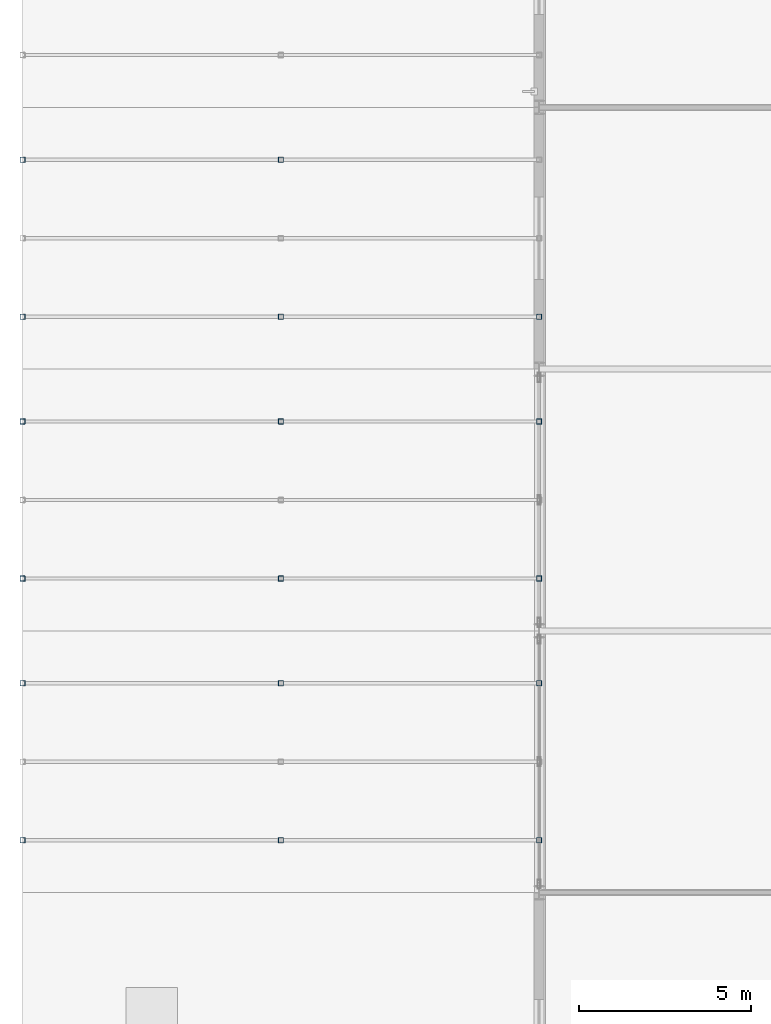
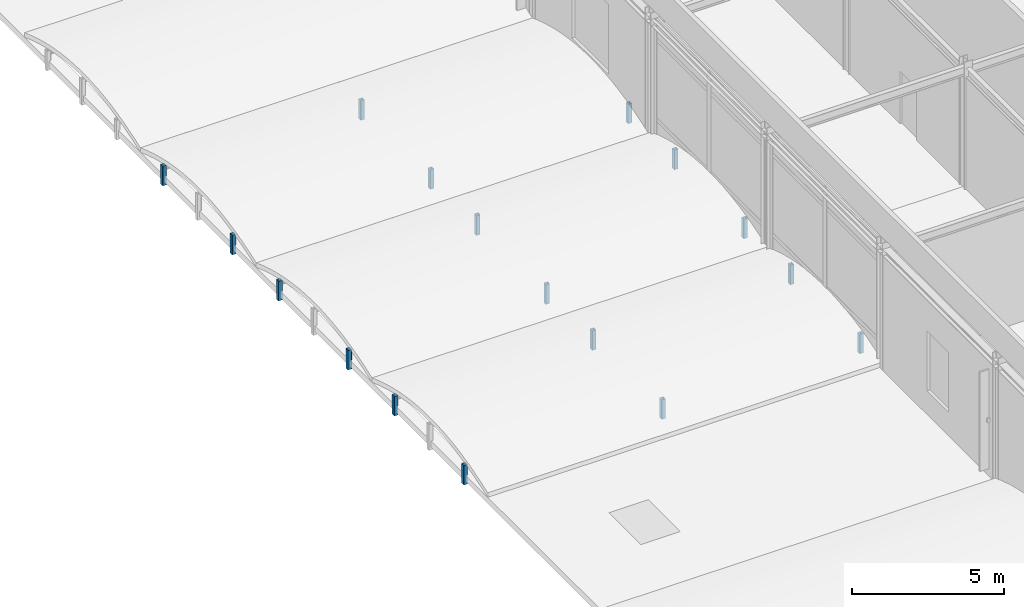
# One storey, part 50 of 79: 17 members.
"""IFC4 building model written with IfcOpenShell, lengths in metres."""

import ifcopenshell
import ifcopenshell.guid

model = None  # the IFC model being written
_history = None  # IfcOwnerHistory: only IFC2X3 demands one
_inside = {}  # id of a spatial element -> (the spatial element, [elements in it])
_under = {}  # id of a project, library or spatial element -> (it, [spatial elements below it])
_declared = {}  # id of a project -> (the project, [libraries it declares])
_typed = {}  # id of a type object -> (the type object, [elements of that type])
_made_of = {}  # id of a material, layer set ... -> (it, [elements and type objects made of it])


def new_model(schema):
    """Start an empty IFC model of exactly this schema.

    Asked for "IFC4X3", IfcOpenShell would pick the latest addendum, in which some entities
    have other attributes; the version numbers below select the first issue.
    IFC2X3 requires an IfcOwnerHistory on every rooted entity: one is made here for all.
    """
    global model, _history
    if schema == "IFC4X3":
        model = ifcopenshell.file(schema_version=(4, 3, 0, 0))
    else:
        model = ifcopenshell.file(schema=schema)
    _inside.clear()
    _under.clear()
    _declared.clear()
    _typed.clear()
    _made_of.clear()
    _history = None
    if model.schema == "IFC2X3":
        org = make("IfcOrganization", Name="unknown")
        user = make(
            "IfcPersonAndOrganization",
            ThePerson=make("IfcPerson", FamilyName="unknown"),
            TheOrganization=org,
        )
        app = make(
            "IfcApplication",
            ApplicationDeveloper=org,
            Version="unknown",
            ApplicationFullName="unknown",
            ApplicationIdentifier="unknown",
        )
        _history = make(
            "IfcOwnerHistory",
            OwningUser=user,
            OwningApplication=app,
            ChangeAction="ADDED",
            CreationDate=0,
        )
    return model


def make(cls, **values):
    """One entity of the class cls with the attributes given. An attribute that is None is left unset."""
    return model.create_entity(
        cls, **{name: value for name, value in values.items() if value is not None}
    )


def rooted(cls, **values):
    """An entity with a GlobalId (a new one), such as an element, a storey or a relation."""
    return make(cls, GlobalId=ifcopenshell.guid.new(), OwnerHistory=_history, **values)


def si_unit(unit_type, name, prefix=None):
    """IfcSIUnit, for example si_unit("LENGTHUNIT", "METRE", prefix="MILLI")."""
    return make("IfcSIUnit", UnitType=unit_type, Prefix=prefix, Name=name)


def assignment(units):
    """IfcUnitAssignment: the units of a project."""
    return None if units is None else make("IfcUnitAssignment", Units=units)


def point(xyz):
    """IfcCartesianPoint."""
    return None if xyz is None else make("IfcCartesianPoint", Coordinates=xyz)


def direction(xyz):
    """IfcDirection."""
    return None if xyz is None else make("IfcDirection", DirectionRatios=xyz)


def frame(location, z_axis=None, x_axis=None):
    """IfcAxis2Placement3D, a coordinate frame: its origin and axes. An axis left out is left unset."""
    return make(
        "IfcAxis2Placement3D",
        Location=point(location),
        Axis=direction(z_axis),
        RefDirection=direction(x_axis),
    )


def frame_2d(location, x_axis=None):
    """IfcAxis2Placement2D, a coordinate frame in the plane: its origin and x axis."""
    return make(
        "IfcAxis2Placement2D", Location=point(location), RefDirection=direction(x_axis)
    )


def origin():
    """The frame at (0, 0, 0) with its axes left unset."""
    return frame((0.0, 0.0, 0.0))


def origin_2d():
    """The frame at (0, 0) in the plane with its x axis left unset."""
    return frame_2d((0.0, 0.0))


def place(relative_to, where):
    """IfcLocalPlacement: puts the frame where relative to a parent placement (None: the world)."""
    return make(
        "IfcLocalPlacement", PlacementRelTo=relative_to, RelativePlacement=where
    )


def context(
    kind, dimensions, precision=None, world=None, true_north=None, identifier=None
):
    """IfcGeometricRepresentationContext, for example the 3D "Model" context."""
    return make(
        "IfcGeometricRepresentationContext",
        ContextIdentifier=identifier,
        ContextType=kind,
        CoordinateSpaceDimension=dimensions,
        Precision=precision,
        WorldCoordinateSystem=world,
        TrueNorth=true_north,
    )


def subcontext(parent, identifier, kind, view, scale=None):
    """IfcGeometricRepresentationSubContext, for example "Body" below "Model"."""
    return make(
        "IfcGeometricRepresentationSubContext",
        ContextIdentifier=identifier,
        ContextType=kind,
        ParentContext=parent,
        TargetScale=scale,
        TargetView=view,
    )


def project(units=None, contexts=None):
    """IfcProject with its units and contexts."""
    return rooted(
        "IfcProject",
        Name="project",
        RepresentationContexts=contexts,
        UnitsInContext=assignment(units),
    )


def spatial(cls, under=None, at=None, **own):
    """A site, building, storey or space (cls), placed at a placement, below another one or the project."""
    s = rooted(cls, ObjectPlacement=at, **own)
    if under is not None:
        _under.setdefault(under.id(), (under, []))[1].append(s)
    return s


def profile(cls, at=None, kind="AREA", **sizes):
    """A parametric profile (cls). Its sizes go by their IFC names, for example OverallWidth=200.0."""
    return make(cls, ProfileType=kind, Position=at, **sizes)


def hollow_rectangle(**sizes):
    """IfcRectangleHollowProfileDef."""
    return profile("IfcRectangleHollowProfileDef", **sizes)


def extrude(swept, where, along, depth):
    """IfcExtrudedAreaSolid: the profile swept, set in the frame where, extruded along a direction by depth."""
    return make(
        "IfcExtrudedAreaSolid",
        SweptArea=swept,
        Position=where,
        ExtrudedDirection=direction(along),
        Depth=depth,
    )


def shape(context_of_items, identifier, shape_type, items):
    """IfcShapeRepresentation: the items that make up one representation, for example the "Body"."""
    return make(
        "IfcShapeRepresentation",
        ContextOfItems=context_of_items,
        RepresentationIdentifier=identifier,
        RepresentationType=shape_type,
        Items=items,
    )


def material(Name=None, Category=None):
    """IfcMaterial."""
    return make("IfcMaterial", Name=Name, Category=Category)


def material_profile(
    of_material, cross_section, Name=None, Category=None, Priority=None
):
    """IfcMaterialProfile: a cross section and its material."""
    return make(
        "IfcMaterialProfile",
        Name=Name,
        Material=of_material,
        Profile=cross_section,
        Priority=Priority,
        Category=Category,
    )


def profile_set(profiles, Name=None, composite=None):
    """IfcMaterialProfileSet."""
    return make(
        "IfcMaterialProfileSet",
        Name=Name,
        MaterialProfiles=profiles,
        CompositeProfile=composite,
    )


def made_of(thing, what):
    """Note that an element or type object is made of a material, layer set ...; save() writes the relation."""
    if what is not None:
        _made_of.setdefault(what.id(), (what, []))[1].append(thing)
    return thing


def type_object(cls, material=None, **own):
    """A type object (cls), such as IfcWallType, which elements share."""
    return made_of(rooted(cls, **own), material)


def element(
    cls,
    number,
    at=None,
    inside=None,
    cuts=None,
    type_object=None,
    material=None,
    context=None,
    identifier="Body",
    shape_type=None,
    held_by="IfcProductDefinitionShape",
    body=None,
    shapes=None,
    **own,
):
    """One element of the class cls, such as IfcWall. Its Tag is "e" and its number.

    at: its placement. inside: the storey or other place that contains it. cuts: it is an
    opening in that element (IfcRelVoidsElement). A single representation is given by context,
    identifier, shape_type and body (its items); several are given by shapes. held_by: the class
    of the entity that holds the representations. save() writes the other relations.
    """
    e = rooted(cls, Tag="e%d" % number, ObjectPlacement=at, **own)
    if body is not None:
        shapes = [shape(context, identifier, shape_type, body)]
    if shapes is not None:
        e.Representation = make(held_by, Representations=shapes)
    if inside is not None:
        _inside.setdefault(inside.id(), (inside, []))[1].append(e)
    if cuts is not None:
        rooted(
            "IfcRelVoidsElement", RelatingBuildingElement=cuts, RelatedOpeningElement=e
        )
    if type_object is not None:
        _typed.setdefault(type_object.id(), (type_object, []))[1].append(e)
    return made_of(e, material)


def aggregate(whole, parts):
    """IfcRelAggregates: a whole, such as a stair, and the parts it consists of."""
    return rooted("IfcRelAggregates", RelatingObject=whole, RelatedObjects=parts)


def save(model, path):
    """Write the relations noted so far, then the file.

    IfcRelAggregates (storeys below a building ...), IfcRelContainedInSpatialStructure (elements
    in a storey), IfcRelDefinesByType, IfcRelAssociatesMaterial and IfcRelDeclares: one each for
    every whole, place, type object, material and project.
    """
    for whole, parts in _under.values():
        aggregate(whole, parts)
    for where, things in _inside.values():
        rooted(
            "IfcRelContainedInSpatialStructure",
            RelatedElements=things,
            RelatingStructure=where,
        )
    for kind, things in _typed.values():
        rooted("IfcRelDefinesByType", RelatedObjects=things, RelatingType=kind)
    for what, things in _made_of.values():
        rooted("IfcRelAssociatesMaterial", RelatedObjects=things, RelatingMaterial=what)
    for by, libraries in _declared.values():
        rooted("IfcRelDeclares", RelatingContext=by, RelatedDefinitions=libraries)
    model.write(path)


model = new_model("IFC4")

# Units and contexts
model_context = context("Model", 3, precision=1e-05, world=origin(), true_north=direction((0.0, 1.0)))
body_context = subcontext(model_context, "Body", "Model", "MODEL_VIEW")
ifc_project = project(units=[si_unit("LENGTHUNIT", "METRE"), si_unit("AREAUNIT", "SQUARE_METRE"), si_unit("VOLUMEUNIT", "CUBIC_METRE"), si_unit("PLANEANGLEUNIT", "RADIAN"), si_unit("MASSUNIT", "GRAM", prefix="KILO")], contexts=[model_context])

# Site, building, storey
site_placement = place(None, origin())
site = spatial("IfcSite", under=ifc_project, at=site_placement, CompositionType="ELEMENT")
building_placement = place(site_placement, origin())
building = spatial("IfcBuilding", under=site, at=building_placement, Name="Shalkamar Park Central Library", CompositionType="ELEMENT")
storey_placement = place(building_placement, frame((0.0, 0.0, 10.5)))
storey = spatial("IfcBuildingStorey", under=building, at=storey_placement, Name="L03", CompositionType="ELEMENT", Elevation=10.5)

# Members
ifc_material = material(Name="Steel S355", Category="steel")
ifc_material_profile = material_profile(ifc_material, hollow_rectangle(XDim=0.14990234375, YDim=0.14990234375, WallThickness=0.008056640625, InnerFilletRadius=0.008056640625, OuterFilletRadius=0.011962890625, at=origin_2d()), Name="SHS 150x150x8")
ifc_profile_set = profile_set([ifc_material_profile], Name="Steel S355")
member_type = type_object("IfcMemberType", Name="Diagonal Brace SHS150", PredefinedType="BRACE", material=ifc_profile_set)
for number, where, z_axis, x_axis, name in (
    (1, (135.0, 279.52001953125, -0.360107421875), (0.0, 0.0, 1.0), (1.0, 0.0, 0.0), "Vault Arch Post BV-L02-W4-03.1"),
    (2, (135.0, 284.080078125, -0.360107421875), (0.0, 0.0, 1.0), (1.0, 0.0, 0.0), "Vault Arch Post BV-L02-W4-03.3"),
    (3, (142.5, 279.52001953125, -0.360107421875), (0.0, 0.0, 1.0), (1.0, 0.0, 0.0), "Vault Arch Post BV-L02-W4-04.1"),
    (4, (142.5, 284.080078125, -0.360107421875), (0.0, 0.0, 1.0), (1.0, 0.0, 0.0), "Vault Arch Post BV-L02-W4-04.3"),
    (5, (150.0, 279.52001953125, -0.360107421875), (0.0, 0.0, 1.0), (1.0, 0.0, 0.0), "Vault Arch Post BV-L02-W4-05.1"),
    (6, (150.0, 284.080078125, -0.360107421875), (0.0, 0.0, 1.0), (1.0, 0.0, 0.0), "Vault Arch Post BV-L02-W4-05.3"),
    (7, (135.0, 287.1201171875, -0.360107421875), (0.0, 0.0, 1.0), (1.0, 0.0, 0.0), "Vault Arch Post BV-L02-W5-03.1"),
    (8, (135.0, 291.679931640625, -0.360107421875), (0.0, 0.0, 1.0), (1.0, 0.0, 0.0), "Vault Arch Post BV-L02-W5-03.3"),
    (9, (142.5, 287.1201171875, -0.360107421875), (0.0, 0.0, 1.0), (1.0, 0.0, 0.0), "Vault Arch Post BV-L02-W5-04.1"),
    (10, (142.5, 291.679931640625, -0.360107421875), (0.0, 0.0, 1.0), (1.0, 0.0, 0.0), "Vault Arch Post BV-L02-W5-04.3"),
    (11, (150.0, 287.1201171875, -0.360107421875), (0.0, 0.0, 1.0), (1.0, 0.0, 0.0), "Vault Arch Post BV-L02-W5-05.1"),
    (12, (150.0, 291.679931640625, -0.360107421875), (0.0, 0.0, 1.0), (1.0, 0.0, 0.0), "Vault Arch Post BV-L02-W5-05.3"),
    (13, (135.0, 294.719970703125, -0.360107421875), (0.0, 0.0, 1.0), (1.0, 0.0, 0.0), "Vault Arch Post BV-L02-W6-03.1"),
    (14, (135.0, 299.280029296875, -0.360107421875), (0.0, 0.0, 1.0), (1.0, 0.0, 0.0), "Vault Arch Post BV-L02-W6-03.3"),
    (15, (142.5, 294.719970703125, -0.360107421875), (0.0, 0.0, 1.0), (1.0, 0.0, 0.0), "Vault Arch Post BV-L02-W6-04.1"),
    (16, (142.5, 299.280029296875, -0.360107421875), (0.0, 0.0, 1.0), (1.0, 0.0, 0.0), "Vault Arch Post BV-L02-W6-04.3"),
    (17, (150.0, 294.719970703125, -0.360107421875), (0.0, 0.0, 1.0), (1.0, 0.0, 0.0), "Vault Arch Post BV-L02-W6-05.1"),
):
    element("IfcMember", number, at=place(storey_placement, frame(where, z_axis=z_axis, x_axis=x_axis)), inside=storey, type_object=member_type, Name=name, PredefinedType="BRACE", context=body_context, shape_type="SweptSolid", body=[
        extrude(hollow_rectangle(XDim=0.14990234375, YDim=0.14990234375, WallThickness=0.008056640625, InnerFilletRadius=0.008056640625, OuterFilletRadius=0.011962890625, at=origin_2d()), origin(), (0.0, 0.0, 1.0), 0.781005859375),
    ])

save(model, "model.ifc")
